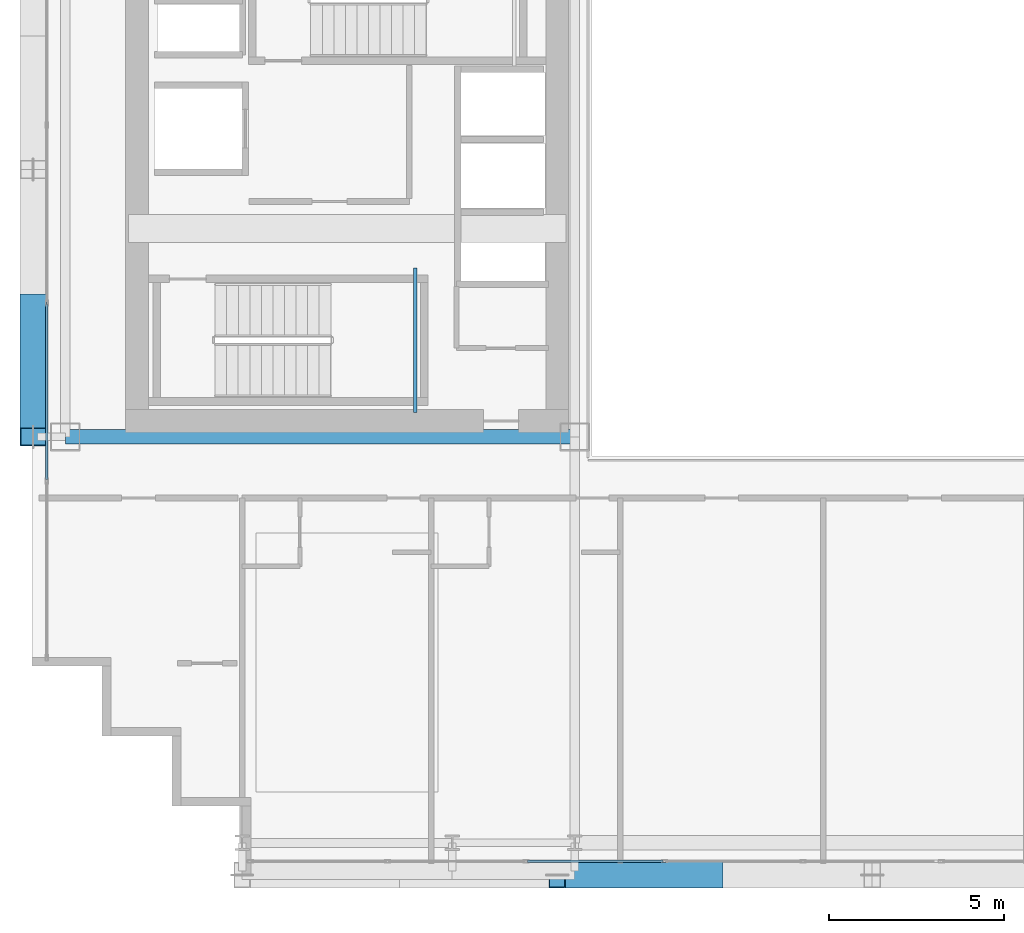
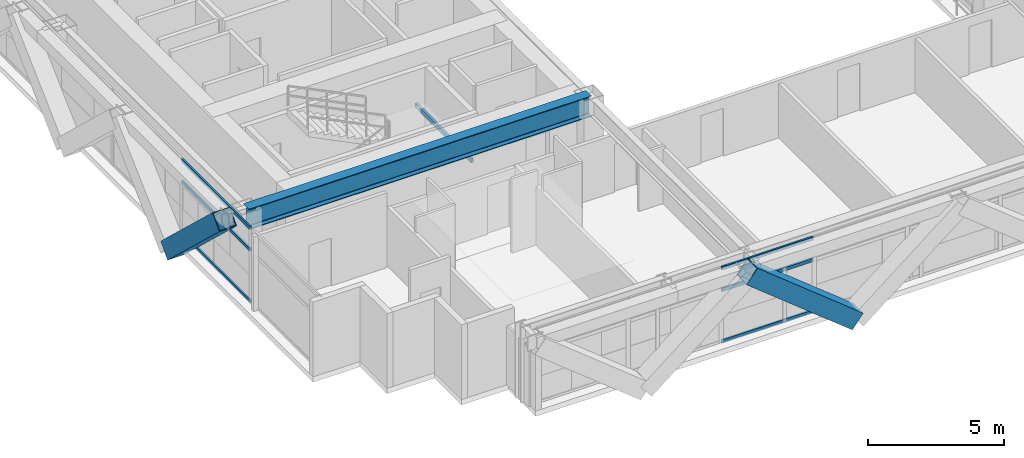
# One storey, part 4 of 35: 8 members, 2 beams, 2 elements without a shape of their own.
"""IFC4 building model written with IfcOpenShell, lengths in metres."""

from ifc_helpers import new_model, si_unit, direction, frame, origin, origin_2d, place, context, subcontext, project, spatial, hollow_rectangle, i_section, extrude, source, transform, mapped, material, layer, layer_set, material_profile, profile_set, type_object, element, aggregate, save


model = new_model("IFC4")

# Units and contexts
model_context = context("Model", 3, precision=1e-05, world=origin(), true_north=direction((0.0, 1.0)))
body_context = subcontext(model_context, "Body", "Model", "MODEL_VIEW")
ifc_project = project(units=[si_unit("LENGTHUNIT", "METRE"), si_unit("AREAUNIT", "SQUARE_METRE"), si_unit("VOLUMEUNIT", "CUBIC_METRE"), si_unit("PLANEANGLEUNIT", "RADIAN"), si_unit("MASSUNIT", "GRAM", prefix="KILO")], contexts=[model_context])

# Site, building, storey
site_placement = place(None, origin())
site = spatial("IfcSite", under=ifc_project, at=site_placement, CompositionType="ELEMENT")
building_placement = place(site_placement, origin())
building = spatial("IfcBuilding", under=site, at=building_placement, Name="Ocotamira Hotel", CompositionType="ELEMENT")
storey_placement = place(building_placement, frame((0.0, 0.0, 122.39990234375)))
storey = spatial("IfcBuildingStorey", under=building, at=storey_placement, Name="L30", CompositionType="ELEMENT", Elevation=122.39990234375)

# Beams
ifc_material_1 = material(Name="Steel ASTM A500 Grade C", Category="steel")
ifc_material_profile_1 = material_profile(ifc_material_1, hollow_rectangle(XDim=0.10009765625, YDim=0.199951171875, WallThickness=0.008056640625, at=origin_2d()), Name="HSS200X100X8")
ifc_profile_set_1 = profile_set([ifc_material_profile_1], Name="Steel ASTM A500 Grade C")
beam_type_1 = type_object("IfcBeamType", Name="BM-STLDG-HSS200", PredefinedType="BEAM", material=ifc_profile_set_1)
shared_shape_1 = source(origin(), body_context, "Body", "SweptSolid", [
    extrude(hollow_rectangle(XDim=0.10009765625, YDim=0.199951171875, WallThickness=0.008056640625, at=origin_2d()), origin(), (0.0, 0.0, 1.0), 4.1201171875),
])
beam_1_placement = place(storey_placement, frame((18.949951171875, 15.25, 1.5), z_axis=(0.0, 1.0, 0.0), x_axis=(-1.0, 0.0, 0.0)))
element("IfcBeam", 1, at=beam_1_placement, inside=storey, type_object=beam_type_1, Name="L30 Stair ST-1 Landing Bearer 1", PredefinedType="BEAM", context=body_context, shape_type="MappedRepresentation", body=[
    mapped(shared_shape_1, transform((0.0, 0.0, 0.0), scale=1.0)),
])
ifc_material_2 = material(Name="Steel ASTM A992 Grade 50", Category="steel")
ifc_material_profile_2 = material_profile(ifc_material_2, i_section(OverallWidth=0.41796875, OverallDepth=0.927001953125, WebThickness=0.019287109375, FlangeThickness=0.031982421875, FilletRadius=0.02392578125, at=origin_2d()), Name="W36X231")
ifc_profile_set_2 = profile_set([ifc_material_profile_2], Name="Steel ASTM A992 Grade 50")
beam_type_2 = type_object("IfcBeamType", Name="BM-GIRD-W36X231", PredefinedType="BEAM", material=ifc_profile_set_2)
shared_shape_2 = source(origin(), body_context, "Body", "SweptSolid", [
    extrude(i_section(OverallWidth=0.41796875, OverallDepth=0.927001953125, WebThickness=0.019287109375, FlangeThickness=0.031982421875, FilletRadius=0.02392578125, at=origin_2d()), origin(), (0.0, 0.0, 1.0), 14.550048828125),
])
beam_2_placement = place(storey_placement, frame((8.949951171875, 14.550048828125, 2.896484375), z_axis=(1.0, 0.0, 0.0), x_axis=(0.0, 1.0, 0.0)))
element("IfcBeam", 2, at=beam_2_placement, inside=storey, type_object=beam_type_2, Name="L30 Girder Y14.55 X8.95-23.5", PredefinedType="BEAM", context=body_context, shape_type="MappedRepresentation", body=[
    mapped(shared_shape_2, transform((0.0, 0.0, 0.0), scale=1.0)),
])

# Members
ifc_material_3 = material(Name="Pale-metal coated steel ASTM A913 Grade 65", Category="steel")
ifc_material_profile_3 = material_profile(ifc_material_3, hollow_rectangle(XDim=0.75, YDim=0.75, WallThickness=0.028076171875, at=origin_2d()), Name="BOX750X750X28")
ifc_profile_set_3 = profile_set([ifc_material_profile_3], Name="Pale-metal coated steel ASTM A913 Grade 65")
member_type_1 = type_object("IfcMemberType", Name="MEM-EXO-BOX750", PredefinedType="BRACE", material=ifc_profile_set_3)
shared_shape_3 = source(origin(), body_context, "Body", "SweptSolid", [
    extrude(hollow_rectangle(XDim=0.75, YDim=0.75, WallThickness=0.028076171875, at=origin_2d()), origin(), (0.0, 0.0, 1.0), 5.762939453125),
])
member_1_placement = place(storey_placement, frame((27.5, 2.030029296875, -0.489990234375), z_axis=(-0.780860543151, 0.0, 0.624705380279), x_axis=(0.0, -1.0, 0.0)))
element("IfcMember", 3, at=member_1_placement, inside=storey, type_object=member_type_1, Name="L30 Exoskeleton Diagrid S1.1", PredefinedType="BRACE", context=body_context, shape_type="MappedRepresentation", body=[
    mapped(shared_shape_3, transform((0.0, 0.0, 0.0), scale=1.0)),
])
shared_shape_4 = source(origin(), body_context, "Body", "SweptSolid", [
    extrude(hollow_rectangle(XDim=0.75, YDim=0.75, WallThickness=0.028076171875, at=origin_2d()), origin(), (0.0, 0.0, 1.0), 5.24658203125),
])
member_2_placement = place(storey_placement, frame((8.030029296875, 18.36669921875, -0.489990234375), z_axis=(0.0, -0.727442733726, 0.686168397078), x_axis=(1.0, 0.0, 0.0)))
element("IfcMember", 4, at=member_2_placement, inside=storey, type_object=member_type_1, Name="L30 Exoskeleton Diagrid W0.1", PredefinedType="BRACE", context=body_context, shape_type="MappedRepresentation", body=[
    mapped(shared_shape_4, transform((0.0, 0.0, 0.0), scale=1.0)),
])

# Curtain wall, members
ifc_material_4 = material(Name="Anodised pale-metal aluminium and solar glass", Category="aluminium")
ifc_layer = layer(ifc_material_4, 0.179931640625)
ifc_layer_set = layer_set([ifc_layer], Name="Anodised pale-metal aluminium and solar glass")
curtain_wall_type = type_object("IfcCurtainWallType", Name="CW-SYS3-Z2", PredefinedType="NOTDEFINED", material=ifc_layer_set)
curtain_wall_1_placement = place(storey_placement, origin())
curtain_wall_1 = element("IfcCurtainWall", 5, at=curtain_wall_1_placement, inside=storey, type_object=curtain_wall_type, Name="L30 Curtain Wall CW-3 CW-L30-S1", PredefinedType="NOTDEFINED")
ifc_material_5 = material(Name="Anodised pale-metal aluminium 6063-T6", Category="aluminium")
ifc_material_profile_4 = material_profile(ifc_material_5, hollow_rectangle(XDim=0.074951171875, YDim=0.14990234375, WallThickness=0.006103515625, at=origin_2d()), Name="HSS150X75X6")
ifc_profile_set_4 = profile_set([ifc_material_profile_4], Name="Anodised pale-metal aluminium 6063-T6")
member_type_2 = type_object("IfcMemberType", Name="CWT-150X75", PredefinedType="USERDEFINED", material=ifc_profile_set_4)
shared_shape_5 = source(origin(), body_context, "Body", "SweptSolid", [
    extrude(hollow_rectangle(XDim=0.074951171875, YDim=0.14990234375, WallThickness=0.006103515625, at=origin_2d()), origin(), (0.0, 0.0, 1.0), 3.87548828125),
])
member_3_placement = place(storey_placement, frame((22.151123046875, 2.419921875, 0.03759765625), z_axis=(1.0, 0.0, 0.0), x_axis=(0.0, 1.0, 0.0)))
member_3 = element("IfcMember", 6, at=member_3_placement, type_object=member_type_2, Name="CW-3 transom 3.1", ObjectType="TRANSOM", PredefinedType="USERDEFINED", context=body_context, shape_type="MappedRepresentation", body=[
    mapped(shared_shape_5, transform((0.0, 0.0, 0.0), scale=1.0)),
])
member_4_placement = place(storey_placement, frame((22.151123046875, 2.419921875, 2.35009765625), z_axis=(1.0, 0.0, 0.0), x_axis=(0.0, 1.0, 0.0)))
member_4 = element("IfcMember", 7, at=member_4_placement, type_object=member_type_2, Name="CW-3 transom 3.2", ObjectType="TRANSOM", PredefinedType="USERDEFINED", context=body_context, shape_type="MappedRepresentation", body=[
    mapped(shared_shape_5, transform((0.0, 0.0, 0.0), scale=1.0)),
])
member_5_placement = place(storey_placement, frame((22.151123046875, 2.419921875, 3.322509765625), z_axis=(1.0, 0.0, 0.0), x_axis=(0.0, 1.0, 0.0)))
member_5 = element("IfcMember", 8, at=member_5_placement, type_object=member_type_2, Name="CW-3 transom 3.3", ObjectType="TRANSOM", PredefinedType="USERDEFINED", context=body_context, shape_type="MappedRepresentation", body=[
    mapped(shared_shape_5, transform((0.0, 0.0, 0.0), scale=1.0)),
])
aggregate(curtain_wall_1, [member_3, member_4, member_5])

curtain_wall_2_placement = place(storey_placement, origin())
curtain_wall_2 = element("IfcCurtainWall", 9, at=curtain_wall_2_placement, inside=storey, type_object=curtain_wall_type, Name="L30 Curtain Wall CW-3 CW-L30-W", PredefinedType="NOTDEFINED")
shared_shape_6 = source(origin(), body_context, "Body", "SweptSolid", [
    extrude(hollow_rectangle(XDim=0.074951171875, YDim=0.14990234375, WallThickness=0.006103515625, at=origin_2d()), origin(), (0.0, 0.0, 1.0), 5.005859375),
])
member_6_placement = place(storey_placement, frame((8.419921875, 13.32568359375, 0.03759765625), z_axis=(0.0, 1.0, 0.0), x_axis=(-1.0, 0.0, 0.0)))
member_6 = element("IfcMember", 10, at=member_6_placement, type_object=member_type_2, Name="CW-3 transom 2.1", ObjectType="TRANSOM", PredefinedType="USERDEFINED", context=body_context, shape_type="MappedRepresentation", body=[
    mapped(shared_shape_6, transform((0.0, 0.0, 0.0), scale=1.0)),
])
member_7_placement = place(storey_placement, frame((8.419921875, 13.32568359375, 2.35009765625), z_axis=(0.0, 1.0, 0.0), x_axis=(-1.0, 0.0, 0.0)))
member_7 = element("IfcMember", 11, at=member_7_placement, type_object=member_type_2, Name="CW-3 transom 2.2", ObjectType="TRANSOM", PredefinedType="USERDEFINED", context=body_context, shape_type="MappedRepresentation", body=[
    mapped(shared_shape_6, transform((0.0, 0.0, 0.0), scale=1.0)),
])
member_8_placement = place(storey_placement, frame((8.419921875, 13.32568359375, 3.322509765625), z_axis=(0.0, 1.0, 0.0), x_axis=(-1.0, 0.0, 0.0)))
member_8 = element("IfcMember", 12, at=member_8_placement, type_object=member_type_2, Name="CW-3 transom 2.3", ObjectType="TRANSOM", PredefinedType="USERDEFINED", context=body_context, shape_type="MappedRepresentation", body=[
    mapped(shared_shape_6, transform((0.0, 0.0, 0.0), scale=1.0)),
])
aggregate(curtain_wall_2, [member_6, member_7, member_8])

save(model, "model.ifc")
